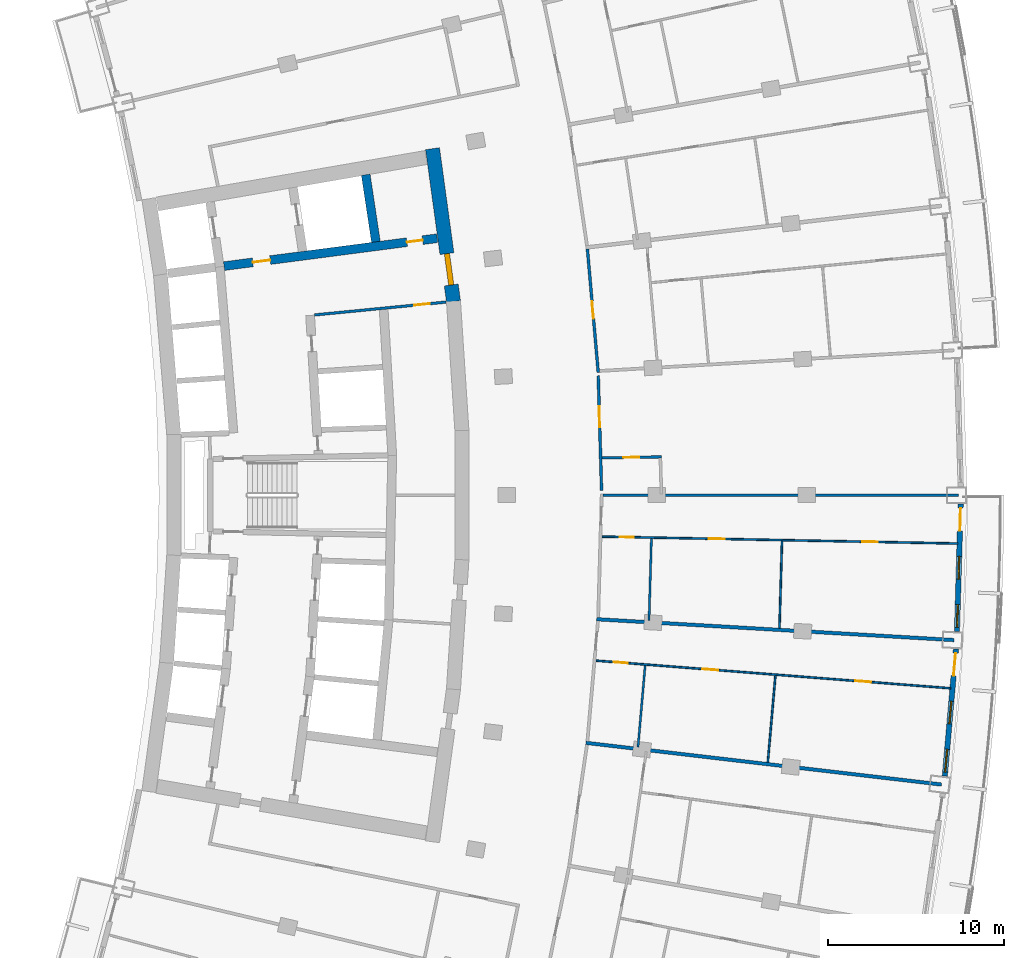
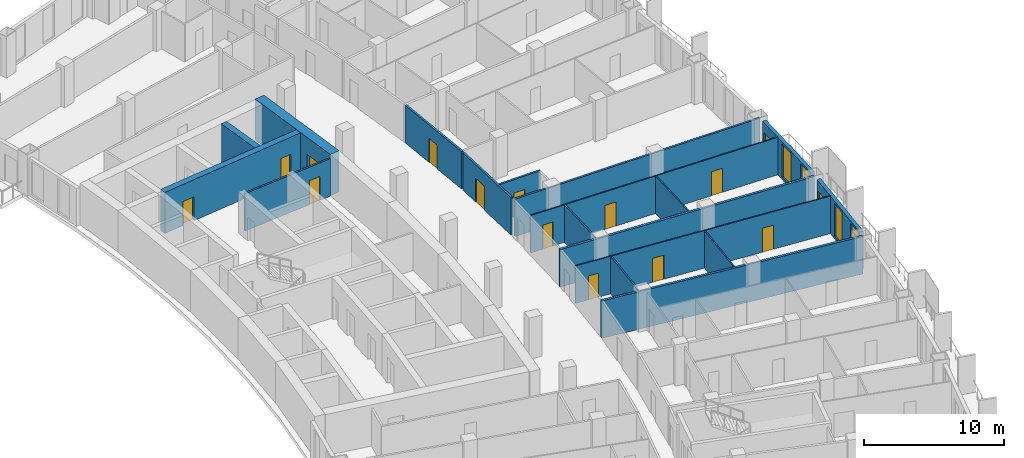
# One storey, part 17 of 24: 18 walls, 15 doors, 4 windows, 19 openings.
"""IFC4 building model written with IfcOpenShell, lengths in metres."""

from ifc_helpers import new_model, si_unit, direction, frame, frame_2d, origin, place, context, subcontext, project, spatial, rectangle, extrude, material, layer, layer_set, type_object, element, fill, save


model = new_model("IFC4")

# Units and contexts
model_context = context("Model", 3, precision=1e-05, world=origin(), true_north=direction((0.0, 1.0)))
body_context = subcontext(model_context, "Body", "Model", "MODEL_VIEW")
ifc_project = project(units=[si_unit("LENGTHUNIT", "METRE"), si_unit("AREAUNIT", "SQUARE_METRE"), si_unit("VOLUMEUNIT", "CUBIC_METRE"), si_unit("PLANEANGLEUNIT", "RADIAN"), si_unit("MASSUNIT", "GRAM", prefix="KILO")], contexts=[model_context])

# Site, building, storey
site_placement = place(None, origin())
site = spatial("IfcSite", under=ifc_project, at=site_placement, CompositionType="ELEMENT")
building_placement = place(site_placement, origin())
building = spatial("IfcBuilding", under=site, at=building_placement, Name="Alderwake Tower", CompositionType="ELEMENT")
storey_placement = place(building_placement, frame((0.0, 0.0, 96.800048828125)))
storey = spatial("IfcBuildingStorey", under=building, at=storey_placement, Name="L23", CompositionType="ELEMENT", Elevation=96.800048828125)

# Wall, opening, door
ifc_material_1 = material(Name="Gypsum shaft wall system, rated")
ifc_layer_1 = layer(ifc_material_1, 0.14990234375)
ifc_layer_set_1 = layer_set([ifc_layer_1], Name="Core room partition 150")
wall_type_1 = type_object("IfcWallType", Name="Core room partition 150", PredefinedType="PARTITIONING", material=ifc_layer_set_1)
wall_1_placement = place(storey_placement, frame((32.333251953125, 71.991943359375, 0.0), z_axis=(0.0, 0.0, 1.0), x_axis=(-0.995248348328, -0.097369015353, 0.0)))
wall_1 = element("IfcWall", 1, at=wall_1_placement, inside=storey, type_object=wall_type_1, Name="CW/L23/PR+102_+86", PredefinedType="PARTITIONING", context=body_context, shape_type="SweptSolid", body=[
    extrude(rectangle(XDim=7.51953125, YDim=0.14990234375, at=frame_2d((3.759765625, 0.0))), origin(), (0.0, 0.0, 1.0), 3.280029296875),
])
opening_1_placement = place(wall_1_placement, frame((0.919921875, 0.0, 0.0)))
opening_1 = element("IfcOpeningElement", 2, at=opening_1_placement, cuts=wall_1, Name="Opening C032", PredefinedType="OPENING", context=body_context, shape_type="SweptSolid", body=[
    extrude(rectangle(XDim=0.89990234375, YDim=2.10009765625, at=frame_2d((0.449951171875, 1.050048828125))), frame((0.0, 0.0849609375, 0.0), z_axis=(0.0, -1.0, 0.0), x_axis=(1.0, 0.0, 0.0)), (0.0, 0.0, 1.0), 0.169921875),
])
ifc_material_2 = material(Name="Painted steel leaf", Category="steel")
door_type_1 = type_object("IfcDoorType", Name="Core room door 900", OperationType="SINGLE_SWING_LEFT", PredefinedType="DOOR", material=ifc_material_2)
door_1_placement = place(opening_1_placement, origin())
door_1 = element("IfcDoor", 3, at=door_1_placement, inside=storey, type_object=door_type_1, Name="Room door", OperationType="SINGLE_SWING_RIGHT", OverallHeight=2.10009765625, OverallWidth=0.89990234375, PredefinedType="DOOR", context=body_context, shape_type="SweptSolid", body=[
    extrude(rectangle(XDim=0.89990234375, YDim=2.10009765625, at=frame_2d((0.449951171875, 1.050048828125))), frame((0.0, 0.02490234375, 0.0), z_axis=(0.0, -1.0, 0.0), x_axis=(1.0, 0.0, 0.0)), (0.0, 0.0, 1.0), 0.050048828125),
])
fill(opening_1, door_1)

ifc_material_3 = material(Name="Concrete C70/85", Category="concrete")
ifc_layer_2 = layer(ifc_material_3, 0.800048828125)
ifc_layer_set_2 = layer_set([ifc_layer_2], Name="Core wall outer 800 C70-85")
wall_type_2 = type_object("IfcWallType", Name="Core wall outer 800 C70-85", PredefinedType="SHEAR", material=ifc_layer_set_2)
wall_2_placement = place(storey_placement, frame((31.569580078125, 80.7265625, 0.0), z_axis=(0.0, 0.0, 1.0), x_axis=(0.135838347444, -0.990731014637, 0.0)))
wall_2 = element("IfcWall", 4, at=wall_2_placement, inside=storey, type_object=wall_type_2, Name="Core wall CW.009", PredefinedType="SHEAR", context=body_context, shape_type="SweptSolid", body=[
    extrude(rectangle(XDim=8.788818359375, YDim=0.800048828125, at=frame_2d((4.39453125, 0.0))), origin(), (0.0, 0.0, 1.0), 3.599853515625),
])
opening_2_placement = place(wall_2_placement, frame((6.032958984375, 0.0, 0.0)))
opening_2 = element("IfcOpeningElement", 5, at=opening_2_placement, cuts=wall_2, Name="Opening C001", PredefinedType="OPENING", context=body_context, shape_type="SweptSolid", body=[
    extrude(rectangle(XDim=1.800048828125, YDim=2.10009765625, at=frame_2d((0.89990234375, 1.050048828125))), frame((0.0, 0.409912109375, 0.0), z_axis=(0.0, -1.0, 0.0), x_axis=(1.0, 0.0, 0.0)), (0.0, 0.0, 1.0), 0.820068359375),
])
ifc_material_4 = material(Name="Steel-framed fire door leaves", Category="steel")
door_type_2 = type_object("IfcDoorType", Name="Core double door 1800 fire-rated", OperationType="DOUBLE_DOOR_SINGLE_SWING", PredefinedType="DOOR", material=ifc_material_4)
door_2_placement = place(opening_2_placement, origin())
door_2 = element("IfcDoor", 6, at=door_2_placement, inside=storey, type_object=door_type_2, Name="Lobby double door", OperationType="DOUBLE_DOOR_SINGLE_SWING", OverallHeight=2.10009765625, OverallWidth=1.800048828125, PredefinedType="DOOR", context=body_context, shape_type="SweptSolid", body=[
    extrude(rectangle(XDim=1.800048828125, YDim=2.10009765625, at=frame_2d((0.89990234375, 1.050048828125))), frame((0.0, 0.14990234375, 0.0), z_axis=(0.0, -1.0, 0.0), x_axis=(1.0, 0.0, 0.0)), (0.0, 0.0, 1.0), 0.300048828125),
])
fill(opening_2, door_2)

# Wall
ifc_material_5 = material(Name="Concrete C70/85", Category="concrete")
ifc_layer_3 = layer(ifc_material_5, 0.5)
ifc_layer_set_3 = layer_set([ifc_layer_3], Name="Core wall spine 500 C70-85")
wall_type_3 = type_object("IfcWallType", Name="Core wall spine 500 C70-85", PredefinedType="SHEAR", material=ifc_layer_set_3)
wall_3_placement = place(storey_placement, frame((28.34423828125, 75.4228515625, 0.0), z_axis=(0.0, 0.0, 1.0), x_axis=(-0.14943460482, 0.988771611082, 0.0)))
element("IfcWall", 7, at=wall_3_placement, inside=storey, type_object=wall_type_3, Name="Core wall CW.001", PredefinedType="SHEAR", context=body_context, shape_type="SweptSolid", body=[
    extrude(rectangle(XDim=3.8623046875, YDim=0.5, at=frame_2d((1.93115234375, 0.0))), origin(), (0.0, 0.0, 1.0), 3.599853515625),
])

# Wall, openings, doors
wall_4_placement = place(storey_placement, frame((31.834716796875, 75.627197265625, 0.0), z_axis=(0.0, 0.0, 1.0), x_axis=(-0.991555516999, -0.129682908318, 0.0)))
wall_4 = element("IfcWall", 8, at=wall_4_placement, inside=storey, type_object=wall_type_3, Name="Core wall CW.052", PredefinedType="SHEAR", context=body_context, shape_type="SweptSolid", body=[
    extrude(rectangle(XDim=12.23681640625, YDim=0.5, at=frame_2d((6.118408203125, 0.0))), origin(), (0.0, 0.0, 1.0), 3.599853515625),
])
opening_3_placement = place(wall_4_placement, frame((9.587158203125, 0.0, 0.0)))
opening_3 = element("IfcOpeningElement", 9, at=opening_3_placement, cuts=wall_4, Name="Opening C002", PredefinedType="OPENING", context=body_context, shape_type="SweptSolid", body=[
    extrude(rectangle(XDim=1.0, YDim=2.10009765625, at=frame_2d((0.5, 1.050048828125))), frame((0.0, 0.260009765625, 0.0), z_axis=(0.0, -1.0, 0.0), x_axis=(1.0, 0.0, 0.0)), (0.0, 0.0, 1.0), 0.52001953125),
])
opening_4_placement = place(wall_4_placement, frame((0.837158203125, 0.0, 0.0)))
opening_4 = element("IfcOpeningElement", 10, at=opening_4_placement, cuts=wall_4, Name="Opening C020", PredefinedType="OPENING", context=body_context, shape_type="SweptSolid", body=[
    extrude(rectangle(XDim=0.89990234375, YDim=2.10009765625, at=frame_2d((0.449951171875, 1.050048828125))), frame((0.0, 0.260009765625, 0.0), z_axis=(0.0, -1.0, 0.0), x_axis=(1.0, 0.0, 0.0)), (0.0, 0.0, 1.0), 0.52001953125),
])
door_3_placement = place(opening_4_placement, origin())
door_3 = element("IfcDoor", 11, at=door_3_placement, inside=storey, type_object=door_type_1, Name="Room door", OperationType="SINGLE_SWING_LEFT", OverallHeight=2.10009765625, OverallWidth=0.89990234375, PredefinedType="DOOR", context=body_context, shape_type="SweptSolid", body=[
    extrude(rectangle(XDim=0.89990234375, YDim=2.10009765625, at=frame_2d((0.449951171875, 1.050048828125))), frame((0.0, 0.02490234375, 0.0), z_axis=(0.0, -1.0, 0.0), x_axis=(1.0, 0.0, 0.0)), (0.0, 0.0, 1.0), 0.050048828125),
])
fill(opening_4, door_3)
ifc_material_6 = material(Name="Steel-framed fire door leaf", Category="steel")
door_type_3 = type_object("IfcDoorType", Name="Firefighting lobby door 1000 fire-rated", OperationType="SINGLE_SWING_LEFT", PredefinedType="DOOR", material=ifc_material_6)
door_4_placement = place(opening_3_placement, origin())
door_4 = element("IfcDoor", 12, at=door_4_placement, inside=storey, type_object=door_type_3, Name="Firefighting lobby door", OperationType="SINGLE_SWING_RIGHT", OverallHeight=2.10009765625, OverallWidth=1.0, PredefinedType="DOOR", context=body_context, shape_type="SweptSolid", body=[
    extrude(rectangle(XDim=1.0, YDim=2.10009765625, at=frame_2d((0.5, 1.050048828125))), frame((0.0, 0.02490234375, 0.0), z_axis=(0.0, -1.0, 0.0), x_axis=(1.0, 0.0, 0.0)), (0.0, 0.0, 1.0), 0.050048828125),
])
fill(opening_3, door_4)

# Wall, opening, door
ifc_material_7 = material(Name="Gypsum board on metal studs, rated")
ifc_layer_4 = layer(ifc_material_7, 0.159912109375)
ifc_layer_set_4 = layer_set([ifc_layer_4], Name="Corridor wall 160")
wall_type_4 = type_object("IfcWallType", Name="Corridor wall 160", PredefinedType="PARTITIONING", material=ifc_layer_set_4)
wall_5_placement = place(storey_placement, frame((40.3857421875, 75.00830078125, 0.0), z_axis=(0.0, 0.0, 1.0), x_axis=(0.087430787456, -0.996170596537, 0.0)))
wall_5 = element("IfcWall", 13, at=wall_5_placement, inside=storey, type_object=wall_type_4, Name="WL/L23/W42", PredefinedType="PARTITIONING", context=body_context, shape_type="SweptSolid", body=[
    extrude(rectangle(XDim=7.048095703125, YDim=0.159912109375, at=frame_2d((3.52392578125, 0.0))), origin(), (0.0, 0.0, 1.0), 3.280029296875),
])
opening_5_placement = place(wall_5_placement, frame((2.984619140625, 0.0, 0.0)))
opening_5 = element("IfcOpeningElement", 14, at=opening_5_placement, cuts=wall_5, Name="Opening R06-U09.2", PredefinedType="OPENING", context=body_context, shape_type="SweptSolid", body=[
    extrude(rectangle(XDim=1.0, YDim=2.10009765625, at=frame_2d((0.5, 1.050048828125))), frame((0.0, 0.08984375, 0.0), z_axis=(0.0, -1.0, 0.0), x_axis=(1.0, 0.0, 0.0)), (0.0, 0.0, 1.0), 0.179931640625),
])
ifc_material_8 = material(Name="Solid timber leaf in steel frame", Category="steel")
door_type_4 = type_object("IfcDoorType", Name="Flat entrance door 1000 fire-rated", OperationType="SINGLE_SWING_LEFT", PredefinedType="DOOR", material=ifc_material_8)
door_5_placement = place(opening_5_placement, origin())
door_5 = element("IfcDoor", 15, at=door_5_placement, inside=storey, type_object=door_type_4, Name="DR/L23/U09.2", OperationType="SINGLE_SWING_LEFT", OverallHeight=2.10009765625, OverallWidth=1.0, PredefinedType="DOOR", context=body_context, shape_type="SweptSolid", body=[
    extrude(rectangle(XDim=1.0, YDim=2.10009765625, at=frame_2d((0.5, 1.050048828125))), frame((0.0, 0.02490234375, 0.0), z_axis=(0.0, -1.0, 0.0), x_axis=(1.0, 0.0, 0.0)), (0.0, 0.0, 1.0), 0.050048828125),
])
fill(opening_5, door_5)

wall_6_placement = place(storey_placement, frame((41.002685546875, 67.80029296875, 0.0), z_axis=(0.0, 0.0, 1.0), x_axis=(0.02886788617, -0.999583235728, 0.0)))
wall_6 = element("IfcWall", 16, at=wall_6_placement, inside=storey, type_object=wall_type_4, Name="WL/L23/W43", PredefinedType="PARTITIONING", context=body_context, shape_type="SweptSolid", body=[
    extrude(rectangle(XDim=6.537353515625, YDim=0.159912109375, at=frame_2d((3.2685546875, 0.0))), origin(), (0.0, 0.0, 1.0), 3.280029296875),
])
opening_6_placement = place(wall_6_placement, frame((1.7412109375, 0.0, 0.0)))
opening_6 = element("IfcOpeningElement", 17, at=opening_6_placement, cuts=wall_6, Name="Opening R06-AM1.1", PredefinedType="OPENING", context=body_context, shape_type="SweptSolid", body=[
    extrude(rectangle(XDim=1.199951171875, YDim=2.10009765625, at=frame_2d((0.60009765625, 1.050048828125))), frame((0.0, 0.08984375, 0.0), z_axis=(0.0, -1.0, 0.0), x_axis=(1.0, 0.0, 0.0)), (0.0, 0.0, 1.0), 0.179931640625),
])
ifc_material_9 = material(Name="Steel-framed fire door leaf", Category="steel")
door_type_5 = type_object("IfcDoorType", Name="Lobby door 1200 fire-rated", OperationType="SINGLE_SWING_LEFT", PredefinedType="DOOR", material=ifc_material_9)
door_6_placement = place(opening_6_placement, origin())
door_6 = element("IfcDoor", 18, at=door_6_placement, inside=storey, type_object=door_type_5, Name="DR/L23/AM1.1", OperationType="SINGLE_SWING_LEFT", OverallHeight=2.10009765625, OverallWidth=1.199951171875, PredefinedType="DOOR", context=body_context, shape_type="SweptSolid", body=[
    extrude(rectangle(XDim=1.199951171875, YDim=2.10009765625, at=frame_2d((0.60009765625, 1.050048828125))), frame((0.0, 0.02490234375, 0.0), z_axis=(0.0, -1.0, 0.0), x_axis=(1.0, 0.0, 0.0)), (0.0, 0.0, 1.0), 0.050048828125),
])
fill(opening_6, door_6)

# Wall
wall_7_placement = place(storey_placement, frame((61.5, 60.9990234375, 0.0), z_axis=(0.0, 0.0, 1.0), x_axis=(-1.0, 0.0, 0.0)))
element("IfcWall", 19, at=wall_7_placement, inside=storey, type_object=wall_type_4, Name="WL/L23/W45", PredefinedType="PARTITIONING", context=body_context, shape_type="SweptSolid", body=[
    extrude(rectangle(XDim=20.220947265625, YDim=0.159912109375, at=frame_2d((10.1103515625, 0.0))), origin(), (0.0, 0.0, 1.0), 3.280029296875),
])

# Wall, openings, door, windows
ifc_material_10 = material(Name="Precast concrete C50/60 spandrel panel", Category="concrete")
ifc_layer_5 = layer(ifc_material_10, 0.300048828125)
ifc_layer_set_5 = layer_set([ifc_layer_5], Name="External wall EW1 Precast concrete C50/60 spandrel")
wall_type_5 = type_object("IfcWallType", Name="External wall EW1 Precast concrete C50/60 spandrel", PredefinedType="SOLIDWALL", material=ifc_layer_set_5)
wall_8_placement = place(storey_placement, frame((60.730712890625, 45.008544921875, 0.0), z_axis=(0.0, 0.0, 1.0), x_axis=(0.087383747715, 0.996174723949, 0.0)))
wall_8 = element("IfcWall", 20, at=wall_8_placement, inside=storey, type_object=wall_type_5, Name="External wall 15", PredefinedType="SOLIDWALL", context=body_context, shape_type="SweptSolid", body=[
    extrude(rectangle(XDim=7.26416015625, YDim=0.300048828125, at=frame_2d((3.632080078125, 0.0))), origin(), (0.0, 0.0, 1.0), 3.280029296875),
])
opening_7_placement = place(wall_8_placement, frame((0.23291015625, 0.0, 0.199951171875)))
opening_7 = element("IfcOpeningElement", 21, at=opening_7_placement, cuts=wall_8, Name="Opening W1", PredefinedType="OPENING", context=body_context, shape_type="SweptSolid", body=[
    extrude(rectangle(XDim=1.300048828125, YDim=2.89990234375, at=frame_2d((0.64990234375, 1.449951171875))), frame((0.0, 0.159912109375, 0.0), z_axis=(0.0, -1.0, 0.0), x_axis=(1.0, 0.0, 0.0)), (0.0, 0.0, 1.0), 0.320068359375),
])
opening_8_placement = place(wall_8_placement, frame((2.98193359375, 0.0, 0.199951171875)))
opening_8 = element("IfcOpeningElement", 22, at=opening_8_placement, cuts=wall_8, Name="Opening W1", PredefinedType="OPENING", context=body_context, shape_type="SweptSolid", body=[
    extrude(rectangle(XDim=1.300048828125, YDim=2.89990234375, at=frame_2d((0.64990234375, 1.449951171875))), frame((0.0, 0.159912109375, 0.0), z_axis=(0.0, -1.0, 0.0), x_axis=(1.0, 0.0, 0.0)), (0.0, 0.0, 1.0), 0.320068359375),
])
opening_9_placement = place(wall_8_placement, frame((5.731201171875, 0.0, 0.0)))
opening_9 = element("IfcOpeningElement", 23, at=opening_9_placement, cuts=wall_8, Name="Opening D06", PredefinedType="OPENING", context=body_context, shape_type="SweptSolid", body=[
    extrude(rectangle(XDim=1.300048828125, YDim=2.39990234375, at=frame_2d((0.64990234375, 1.199951171875))), frame((0.0, 0.159912109375, 0.0), z_axis=(0.0, -1.0, 0.0), x_axis=(1.0, 0.0, 0.0)), (0.0, 0.0, 1.0), 0.320068359375),
])
ifc_material_11 = material(Name="Bronze tinted glass in aluminium frame", Category="aluminium")
door_type_6 = type_object("IfcDoorType", Name="Balcony door BD sliding", OperationType="SLIDING_TO_LEFT", PredefinedType="DOOR", material=ifc_material_11)
door_7_placement = place(opening_9_placement, origin())
door_7 = element("IfcDoor", 24, at=door_7_placement, inside=storey, type_object=door_type_6, Name="Door D06", OperationType="SLIDING_TO_LEFT", OverallHeight=2.39990234375, OverallWidth=1.300048828125, PredefinedType="DOOR", context=body_context, shape_type="SweptSolid", body=[
    extrude(rectangle(XDim=1.300048828125, YDim=2.39990234375, at=frame_2d((0.64990234375, 1.199951171875))), frame((0.0, 0.02490234375, 0.0), z_axis=(0.0, -1.0, 0.0), x_axis=(1.0, 0.0, 0.0)), (0.0, 0.0, 1.0), 0.050048828125),
])
fill(opening_9, door_7)
ifc_material_12 = material(Name="Bronze tinted glass in aluminium frame", Category="aluminium")
window_type = type_object("IfcWindowType", Name="Window W1 tall fixed and vent", PartitioningType="DOUBLE_PANEL_VERTICAL", PredefinedType="WINDOW", material=ifc_material_12)
window_1_placement = place(opening_7_placement, origin())
window_1 = element("IfcWindow", 25, at=window_1_placement, inside=storey, type_object=window_type, Name="Window W1 tall fixed and vent", OverallHeight=2.89990234375, OverallWidth=1.300048828125, PartitioningType="DOUBLE_PANEL_VERTICAL", PredefinedType="WINDOW", context=body_context, shape_type="SweptSolid", body=[
    extrude(rectangle(XDim=1.300048828125, YDim=2.89990234375, at=frame_2d((0.64990234375, 1.449951171875))), frame((0.0, 0.030029296875, 0.0), z_axis=(0.0, -1.0, 0.0), x_axis=(1.0, 0.0, 0.0)), (0.0, 0.0, 1.0), 0.06005859375),
])
fill(opening_7, window_1)
window_2_placement = place(opening_8_placement, origin())
window_2 = element("IfcWindow", 26, at=window_2_placement, inside=storey, type_object=window_type, Name="Window W1 tall fixed and vent", OverallHeight=2.89990234375, OverallWidth=1.300048828125, PartitioningType="DOUBLE_PANEL_VERTICAL", PredefinedType="WINDOW", context=body_context, shape_type="SweptSolid", body=[
    extrude(rectangle(XDim=1.300048828125, YDim=2.89990234375, at=frame_2d((0.64990234375, 1.449951171875))), frame((0.0, 0.030029296875, 0.0), z_axis=(0.0, -1.0, 0.0), x_axis=(1.0, 0.0, 0.0)), (0.0, 0.0, 1.0), 0.06005859375),
])
fill(opening_8, window_2)

wall_9_placement = place(storey_placement, frame((61.423583984375, 53.240478515625, 0.0), z_axis=(0.0, 0.0, 1.0), x_axis=(0.029172877937, 0.999574381021, 0.0)))
wall_9 = element("IfcWall", 27, at=wall_9_placement, inside=storey, type_object=wall_type_5, Name="External wall 16", PredefinedType="SOLIDWALL", context=body_context, shape_type="SweptSolid", body=[
    extrude(rectangle(XDim=7.26416015625, YDim=0.300048828125, at=frame_2d((3.632080078125, 0.0))), origin(), (0.0, 0.0, 1.0), 3.280029296875),
])
opening_10_placement = place(wall_9_placement, frame((0.23291015625, 0.0, 0.199951171875)))
opening_10 = element("IfcOpeningElement", 28, at=opening_10_placement, cuts=wall_9, Name="Opening W1", PredefinedType="OPENING", context=body_context, shape_type="SweptSolid", body=[
    extrude(rectangle(XDim=1.300048828125, YDim=2.89990234375, at=frame_2d((0.64990234375, 1.449951171875))), frame((0.0, 0.159912109375, 0.0), z_axis=(0.0, -1.0, 0.0), x_axis=(1.0, 0.0, 0.0)), (0.0, 0.0, 1.0), 0.320068359375),
])
opening_11_placement = place(wall_9_placement, frame((2.98193359375, 0.0, 0.199951171875)))
opening_11 = element("IfcOpeningElement", 29, at=opening_11_placement, cuts=wall_9, Name="Opening W1", PredefinedType="OPENING", context=body_context, shape_type="SweptSolid", body=[
    extrude(rectangle(XDim=1.300048828125, YDim=2.89990234375, at=frame_2d((0.64990234375, 1.449951171875))), frame((0.0, 0.159912109375, 0.0), z_axis=(0.0, -1.0, 0.0), x_axis=(1.0, 0.0, 0.0)), (0.0, 0.0, 1.0), 0.320068359375),
])
opening_12_placement = place(wall_9_placement, frame((5.731201171875, 0.0, 0.0)))
opening_12 = element("IfcOpeningElement", 30, at=opening_12_placement, cuts=wall_9, Name="Opening D07", PredefinedType="OPENING", context=body_context, shape_type="SweptSolid", body=[
    extrude(rectangle(XDim=1.300048828125, YDim=2.39990234375, at=frame_2d((0.64990234375, 1.199951171875))), frame((0.0, 0.159912109375, 0.0), z_axis=(0.0, -1.0, 0.0), x_axis=(1.0, 0.0, 0.0)), (0.0, 0.0, 1.0), 0.320068359375),
])
door_8_placement = place(opening_12_placement, origin())
door_8 = element("IfcDoor", 31, at=door_8_placement, inside=storey, type_object=door_type_6, Name="Door D07", OperationType="SLIDING_TO_LEFT", OverallHeight=2.39990234375, OverallWidth=1.300048828125, PredefinedType="DOOR", context=body_context, shape_type="SweptSolid", body=[
    extrude(rectangle(XDim=1.300048828125, YDim=2.39990234375, at=frame_2d((0.64990234375, 1.199951171875))), frame((0.0, 0.02490234375, 0.0), z_axis=(0.0, -1.0, 0.0), x_axis=(1.0, 0.0, 0.0)), (0.0, 0.0, 1.0), 0.050048828125),
])
fill(opening_12, door_8)
window_3_placement = place(opening_10_placement, origin())
window_3 = element("IfcWindow", 32, at=window_3_placement, inside=storey, type_object=window_type, Name="Window W1 tall fixed and vent", OverallHeight=2.89990234375, OverallWidth=1.300048828125, PartitioningType="DOUBLE_PANEL_VERTICAL", PredefinedType="WINDOW", context=body_context, shape_type="SweptSolid", body=[
    extrude(rectangle(XDim=1.300048828125, YDim=2.89990234375, at=frame_2d((0.64990234375, 1.449951171875))), frame((0.0, 0.030029296875, 0.0), z_axis=(0.0, -1.0, 0.0), x_axis=(1.0, 0.0, 0.0)), (0.0, 0.0, 1.0), 0.06005859375),
])
fill(opening_10, window_3)
window_4_placement = place(opening_11_placement, origin())
window_4 = element("IfcWindow", 33, at=window_4_placement, inside=storey, type_object=window_type, Name="Window W1 tall fixed and vent", OverallHeight=2.89990234375, OverallWidth=1.300048828125, PartitioningType="DOUBLE_PANEL_VERTICAL", PredefinedType="WINDOW", context=body_context, shape_type="SweptSolid", body=[
    extrude(rectangle(XDim=1.300048828125, YDim=2.89990234375, at=frame_2d((0.64990234375, 1.449951171875))), frame((0.0, 0.030029296875, 0.0), z_axis=(0.0, -1.0, 0.0), x_axis=(1.0, 0.0, 0.0)), (0.0, 0.0, 1.0), 0.06005859375),
])
fill(opening_11, window_4)

# Walls
ifc_material_13 = material(Name="Dense block masonry wall", Category="masonry")
ifc_layer_6 = layer(ifc_material_13, 0.199951171875)
ifc_layer_set_6 = layer_set([ifc_layer_6], Name="Party wall 200")
wall_type_6 = type_object("IfcWallType", Name="Party wall 200", PredefinedType="SOLIDWALL", material=ifc_layer_set_6)
wall_10_placement = place(storey_placement, frame((60.537109375, 44.529052734375, 0.0), z_axis=(0.0, 0.0, 1.0), x_axis=(-0.99319510115, 0.11646240188, 0.0)))
element("IfcWall", 34, at=wall_10_placement, inside=storey, type_object=wall_type_6, Name="WL/L23/W11", PredefinedType="SOLIDWALL", context=body_context, shape_type="SweptSolid", body=[
    extrude(rectangle(XDim=20.378173828125, YDim=0.199951171875, at=frame_2d((10.18896484375, 0.0))), origin(), (0.0, 0.0, 1.0), 3.280029296875),
])
wall_11_placement = place(storey_placement, frame((61.260009765625, 52.751953125, 0.0), z_axis=(0.0, 0.0, 1.0), x_axis=(-0.998303004761, 0.058233243807, 0.0)))
element("IfcWall", 35, at=wall_11_placement, inside=storey, type_object=wall_type_6, Name="WL/L23/W13", PredefinedType="SOLIDWALL", context=body_context, shape_type="SweptSolid", body=[
    extrude(rectangle(XDim=20.379638671875, YDim=0.199951171875, at=frame_2d((10.18994140625, 0.0))), origin(), (0.0, 0.0, 1.0), 3.280029296875),
])

# Wall, opening, door
ifc_material_14 = material(Name="Gypsum shaft wall system, rated")
ifc_layer_7 = layer(ifc_material_14, 0.14990234375)
ifc_layer_set_7 = layer_set([ifc_layer_7], Name="Riser and shaft wall 150")
wall_type_7 = type_object("IfcWallType", Name="Riser and shaft wall 150", PredefinedType="PARTITIONING", material=ifc_layer_set_7)
wall_12_placement = place(storey_placement, frame((44.610107421875, 63.181396484375, 0.0), z_axis=(0.0, 0.0, 1.0), x_axis=(-0.999843204507, -0.017707806214, 0.0)))
wall_12 = element("IfcWall", 36, at=wall_12_placement, inside=storey, type_object=wall_type_7, Name="WL/L23/W16", PredefinedType="PARTITIONING", context=body_context, shape_type="SweptSolid", body=[
    extrude(rectangle(XDim=3.3916015625, YDim=0.14990234375, at=frame_2d((1.69580078125, 0.0))), origin(), (0.0, 0.0, 1.0), 3.280029296875),
])
opening_13_placement = place(wall_12_placement, frame((1.28271484375, 0.0, 0.0)))
opening_13 = element("IfcOpeningElement", 37, at=opening_13_placement, cuts=wall_12, Name="Opening R06-AM1.2", PredefinedType="OPENING", context=body_context, shape_type="SweptSolid", body=[
    extrude(rectangle(XDim=0.89990234375, YDim=2.10009765625, at=frame_2d((0.449951171875, 1.050048828125))), frame((0.0, 0.0849609375, 0.0), z_axis=(0.0, -1.0, 0.0), x_axis=(1.0, 0.0, 0.0)), (0.0, 0.0, 1.0), 0.169921875),
])
ifc_material_15 = material(Name="Painted timber leaf", Category="wood")
door_type_7 = type_object("IfcDoorType", Name="Room door 900", OperationType="SINGLE_SWING_LEFT", PredefinedType="DOOR", material=ifc_material_15)
door_9_placement = place(opening_13_placement, origin())
door_9 = element("IfcDoor", 38, at=door_9_placement, inside=storey, type_object=door_type_7, Name="DR/L23/AM1.2", OperationType="SINGLE_SWING_LEFT", OverallHeight=2.10009765625, OverallWidth=0.89990234375, PredefinedType="DOOR", context=body_context, shape_type="SweptSolid", body=[
    extrude(rectangle(XDim=0.89990234375, YDim=2.10009765625, at=frame_2d((0.449951171875, 1.050048828125))), frame((0.0, 0.02490234375, 0.0), z_axis=(0.0, -1.0, 0.0), x_axis=(1.0, 0.0, 0.0)), (0.0, 0.0, 1.0), 0.050048828125),
])
fill(opening_13, door_9)

# Wall, openings, doors
ifc_material_16 = material(Name="Gypsum board on metal studs")
ifc_layer_8 = layer(ifc_material_16, 0.10009765625)
ifc_layer_set_8 = layer_set([ifc_layer_8], Name="Unit partition 100")
wall_type_8 = type_object("IfcWallType", Name="Unit partition 100", PredefinedType="PARTITIONING", material=ifc_layer_set_8)
wall_13_placement = place(storey_placement, frame((61.068115234375, 50.007080078125, 0.0), z_axis=(0.0, 0.0, 1.0), x_axis=(-0.996975284787, 0.077719248089, 0.0)))
wall_13 = element("IfcWall", 39, at=wall_13_placement, inside=storey, type_object=wall_type_8, Name="WL/L23/W73", PredefinedType="PARTITIONING", context=body_context, shape_type="SweptSolid", body=[
    extrude(rectangle(XDim=20.261474609375, YDim=0.10009765625, at=frame_2d((10.130859375, 0.0))), origin(), (0.0, 0.0, 1.0), 3.280029296875),
])
opening_14_placement = place(wall_13_placement, frame((13.2744140625, 0.0, 0.0)))
opening_14 = element("IfcOpeningElement", 40, at=opening_14_placement, cuts=wall_13, Name="Opening R06-U07.1", PredefinedType="OPENING", context=body_context, shape_type="SweptSolid", body=[
    extrude(rectangle(XDim=0.89990234375, YDim=2.10009765625, at=frame_2d((0.449951171875, 1.050048828125))), frame((0.0, 0.06005859375, 0.0), z_axis=(0.0, -1.0, 0.0), x_axis=(1.0, 0.0, 0.0)), (0.0, 0.0, 1.0), 0.1201171875),
])
opening_15_placement = place(wall_13_placement, frame((18.4521484375, 0.0, 0.0)))
opening_15 = element("IfcOpeningElement", 41, at=opening_15_placement, cuts=wall_13, Name="Opening R06-U07.3", PredefinedType="OPENING", context=body_context, shape_type="SweptSolid", body=[
    extrude(rectangle(XDim=0.800048828125, YDim=2.10009765625, at=frame_2d((0.39990234375, 1.050048828125))), frame((0.0, 0.06005859375, 0.0), z_axis=(0.0, -1.0, 0.0), x_axis=(1.0, 0.0, 0.0)), (0.0, 0.0, 1.0), 0.1201171875),
])
opening_16_placement = place(wall_13_placement, frame((4.552978515625, 0.0, 0.0)))
opening_16 = element("IfcOpeningElement", 42, at=opening_16_placement, cuts=wall_13, Name="Opening R06-U07.4", PredefinedType="OPENING", context=body_context, shape_type="SweptSolid", body=[
    extrude(rectangle(XDim=0.89990234375, YDim=2.10009765625, at=frame_2d((0.449951171875, 1.050048828125))), frame((0.0, 0.06005859375, 0.0), z_axis=(0.0, -1.0, 0.0), x_axis=(1.0, 0.0, 0.0)), (0.0, 0.0, 1.0), 0.1201171875),
])
ifc_material_17 = material(Name="Painted timber leaf", Category="wood")
door_type_8 = type_object("IfcDoorType", Name="Bathroom door 800", OperationType="SINGLE_SWING_LEFT", PredefinedType="DOOR", material=ifc_material_17)
door_10_placement = place(opening_15_placement, origin())
door_10 = element("IfcDoor", 43, at=door_10_placement, inside=storey, type_object=door_type_8, Name="DR/L23/U07.3", OperationType="SINGLE_SWING_LEFT", OverallHeight=2.10009765625, OverallWidth=0.800048828125, PredefinedType="DOOR", context=body_context, shape_type="SweptSolid", body=[
    extrude(rectangle(XDim=0.800048828125, YDim=2.10009765625, at=frame_2d((0.39990234375, 1.050048828125))), frame((0.0, 0.02490234375, 0.0), z_axis=(0.0, -1.0, 0.0), x_axis=(1.0, 0.0, 0.0)), (0.0, 0.0, 1.0), 0.050048828125),
])
fill(opening_15, door_10)
door_11_placement = place(opening_14_placement, origin())
door_11 = element("IfcDoor", 44, at=door_11_placement, inside=storey, type_object=door_type_7, Name="DR/L23/U07.1", OperationType="SINGLE_SWING_LEFT", OverallHeight=2.10009765625, OverallWidth=0.89990234375, PredefinedType="DOOR", context=body_context, shape_type="SweptSolid", body=[
    extrude(rectangle(XDim=0.89990234375, YDim=2.10009765625, at=frame_2d((0.449951171875, 1.050048828125))), frame((0.0, 0.02490234375, 0.0), z_axis=(0.0, -1.0, 0.0), x_axis=(1.0, 0.0, 0.0)), (0.0, 0.0, 1.0), 0.050048828125),
])
fill(opening_14, door_11)
door_12_placement = place(opening_16_placement, origin())
door_12 = element("IfcDoor", 45, at=door_12_placement, inside=storey, type_object=door_type_7, Name="DR/L23/U07.4", OperationType="SINGLE_SWING_LEFT", OverallHeight=2.10009765625, OverallWidth=0.89990234375, PredefinedType="DOOR", context=body_context, shape_type="SweptSolid", body=[
    extrude(rectangle(XDim=0.89990234375, YDim=2.10009765625, at=frame_2d((0.449951171875, 1.050048828125))), frame((0.0, 0.02490234375, 0.0), z_axis=(0.0, -1.0, 0.0), x_axis=(1.0, 0.0, 0.0)), (0.0, 0.0, 1.0), 0.050048828125),
])
fill(opening_16, door_12)

wall_14_placement = place(storey_placement, frame((61.469970703125, 58.248046875, 0.0), z_axis=(0.0, 0.0, 1.0), x_axis=(-0.999810681734, 0.019457664048, 0.0)))
wall_14 = element("IfcWall", 46, at=wall_14_placement, inside=storey, type_object=wall_type_8, Name="WL/L23/W74", PredefinedType="PARTITIONING", context=body_context, shape_type="SweptSolid", body=[
    extrude(rectangle(XDim=20.263916015625, YDim=0.10009765625, at=frame_2d((10.1318359375, 0.0))), origin(), (0.0, 0.0, 1.0), 3.280029296875),
])
opening_17_placement = place(wall_14_placement, frame((13.275390625, 0.0, 0.0)))
opening_17 = element("IfcOpeningElement", 47, at=opening_17_placement, cuts=wall_14, Name="Opening R06-U08.1", PredefinedType="OPENING", context=body_context, shape_type="SweptSolid", body=[
    extrude(rectangle(XDim=0.89990234375, YDim=2.10009765625, at=frame_2d((0.449951171875, 1.050048828125))), frame((0.0, 0.06005859375, 0.0), z_axis=(0.0, -1.0, 0.0), x_axis=(1.0, 0.0, 0.0)), (0.0, 0.0, 1.0), 0.1201171875),
])
opening_18_placement = place(wall_14_placement, frame((18.453857421875, 0.0, 0.0)))
opening_18 = element("IfcOpeningElement", 48, at=opening_18_placement, cuts=wall_14, Name="Opening R06-U08.3", PredefinedType="OPENING", context=body_context, shape_type="SweptSolid", body=[
    extrude(rectangle(XDim=0.800048828125, YDim=2.10009765625, at=frame_2d((0.39990234375, 1.050048828125))), frame((0.0, 0.06005859375, 0.0), z_axis=(0.0, -1.0, 0.0), x_axis=(1.0, 0.0, 0.0)), (0.0, 0.0, 1.0), 0.1201171875),
])
opening_19_placement = place(wall_14_placement, frame((4.5537109375, 0.0, 0.0)))
opening_19 = element("IfcOpeningElement", 49, at=opening_19_placement, cuts=wall_14, Name="Opening R06-U08.4", PredefinedType="OPENING", context=body_context, shape_type="SweptSolid", body=[
    extrude(rectangle(XDim=0.89990234375, YDim=2.10009765625, at=frame_2d((0.449951171875, 1.050048828125))), frame((0.0, 0.06005859375, 0.0), z_axis=(0.0, -1.0, 0.0), x_axis=(1.0, 0.0, 0.0)), (0.0, 0.0, 1.0), 0.1201171875),
])
door_13_placement = place(opening_18_placement, origin())
door_13 = element("IfcDoor", 50, at=door_13_placement, inside=storey, type_object=door_type_8, Name="DR/L23/U08.3", OperationType="SINGLE_SWING_LEFT", OverallHeight=2.10009765625, OverallWidth=0.800048828125, PredefinedType="DOOR", context=body_context, shape_type="SweptSolid", body=[
    extrude(rectangle(XDim=0.800048828125, YDim=2.10009765625, at=frame_2d((0.39990234375, 1.050048828125))), frame((0.0, 0.02490234375, 0.0), z_axis=(0.0, -1.0, 0.0), x_axis=(1.0, 0.0, 0.0)), (0.0, 0.0, 1.0), 0.050048828125),
])
fill(opening_18, door_13)
door_14_placement = place(opening_17_placement, origin())
door_14 = element("IfcDoor", 51, at=door_14_placement, inside=storey, type_object=door_type_7, Name="DR/L23/U08.1", OperationType="SINGLE_SWING_LEFT", OverallHeight=2.10009765625, OverallWidth=0.89990234375, PredefinedType="DOOR", context=body_context, shape_type="SweptSolid", body=[
    extrude(rectangle(XDim=0.89990234375, YDim=2.10009765625, at=frame_2d((0.449951171875, 1.050048828125))), frame((0.0, 0.02490234375, 0.0), z_axis=(0.0, -1.0, 0.0), x_axis=(1.0, 0.0, 0.0)), (0.0, 0.0, 1.0), 0.050048828125),
])
fill(opening_17, door_14)
door_15_placement = place(opening_19_placement, origin())
door_15 = element("IfcDoor", 52, at=door_15_placement, inside=storey, type_object=door_type_7, Name="DR/L23/U08.4", OperationType="SINGLE_SWING_LEFT", OverallHeight=2.10009765625, OverallWidth=0.89990234375, PredefinedType="DOOR", context=body_context, shape_type="SweptSolid", body=[
    extrude(rectangle(XDim=0.89990234375, YDim=2.10009765625, at=frame_2d((0.449951171875, 1.050048828125))), frame((0.0, 0.02490234375, 0.0), z_axis=(0.0, -1.0, 0.0), x_axis=(1.0, 0.0, 0.0)), (0.0, 0.0, 1.0), 0.050048828125),
])
fill(opening_19, door_15)

# Walls
wall_15_placement = place(storey_placement, frame((50.65478515625, 45.789794921875, 0.0), z_axis=(0.0, 0.0, 1.0), x_axis=(0.087408582497, 0.996172545148, 0.0)))
element("IfcWall", 53, at=wall_15_placement, inside=storey, type_object=wall_type_8, Name="WL/L23/W81", PredefinedType="PARTITIONING", context=body_context, shape_type="SweptSolid", body=[
    extrude(rectangle(XDim=4.96337890625, YDim=0.10009765625, at=frame_2d((2.481689453125, 0.0))), origin(), (0.0, 0.0, 1.0), 3.280029296875),
])
wall_16_placement = place(storey_placement, frame((51.31787109375, 53.430908203125, 0.0), z_axis=(0.0, 0.0, 1.0), x_axis=(0.029310894204, 0.999570343438, 0.0)))
element("IfcWall", 54, at=wall_16_placement, inside=storey, type_object=wall_type_8, Name="WL/L23/W86", PredefinedType="PARTITIONING", context=body_context, shape_type="SweptSolid", body=[
    extrude(rectangle(XDim=4.96435546875, YDim=0.10009765625, at=frame_2d((2.482177734375, 0.0))), origin(), (0.0, 0.0, 1.0), 3.280029296875),
])
ifc_material_18 = material(Name="Moisture resistant gypsum board on metal studs")
ifc_layer_9 = layer(ifc_material_18, 0.1201171875)
ifc_layer_set_9 = layer_set([ifc_layer_9], Name="Wet room partition 120")
wall_type_9 = type_object("IfcWallType", Name="Wet room partition 120", PredefinedType="PARTITIONING", material=ifc_layer_set_9)
wall_17_placement = place(storey_placement, frame((43.265625, 46.65380859375, 0.0), z_axis=(0.0, 0.0, 1.0), x_axis=(0.087069112872, 0.996202273428, 0.0)))
element("IfcWall", 55, at=wall_17_placement, inside=storey, type_object=wall_type_9, Name="WL/L23/W60", PredefinedType="PARTITIONING", context=body_context, shape_type="SweptSolid", body=[
    extrude(rectangle(XDim=4.67431640625, YDim=0.1201171875, at=frame_2d((2.337158203125, 0.0))), origin(), (0.0, 0.0, 1.0), 3.280029296875),
])
wall_18_placement = place(storey_placement, frame((43.892822265625, 53.865966796875, 0.0), z_axis=(0.0, 0.0, 1.0), x_axis=(0.029256273894, 0.999571943603, 0.0)))
element("IfcWall", 56, at=wall_18_placement, inside=storey, type_object=wall_type_9, Name="WL/L23/W63", PredefinedType="PARTITIONING", context=body_context, shape_type="SweptSolid", body=[
    extrude(rectangle(XDim=4.673095703125, YDim=0.1201171875, at=frame_2d((2.33642578125, 0.0))), origin(), (0.0, 0.0, 1.0), 3.280029296875),
])

save(model, "model.ifc")
